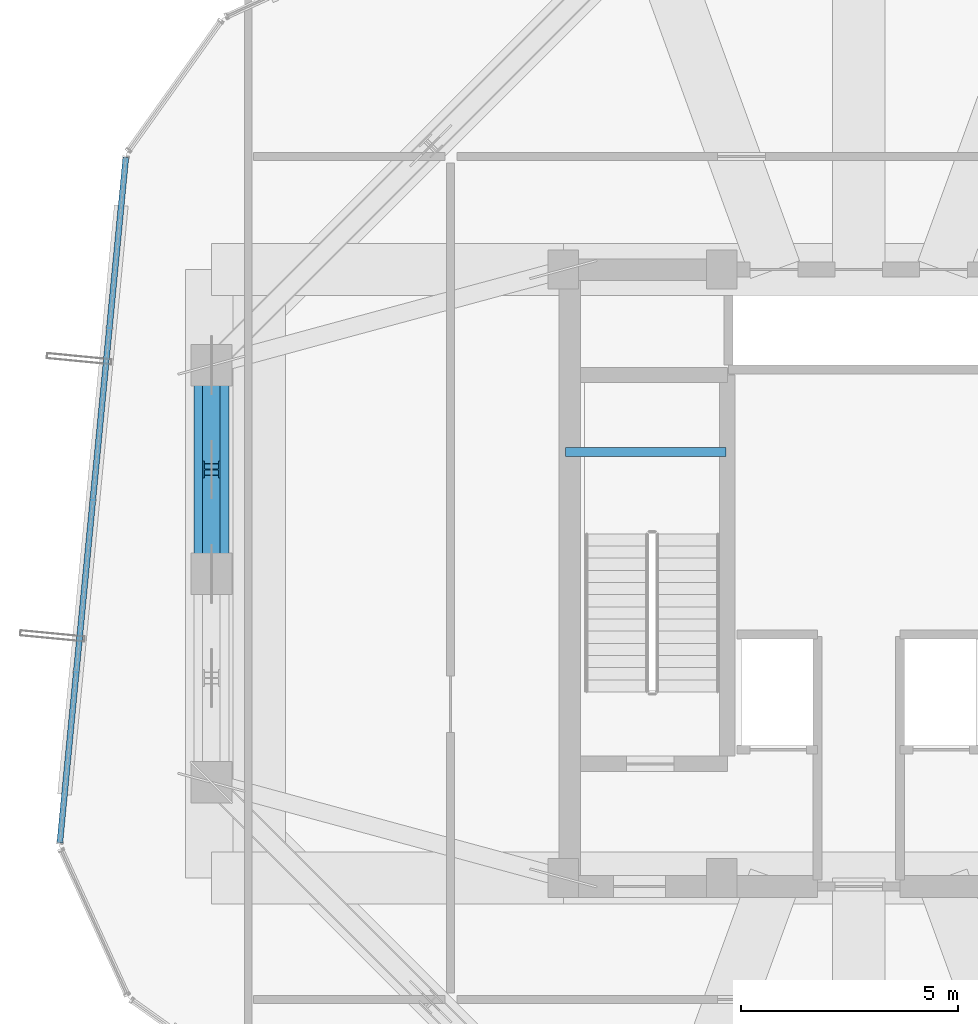
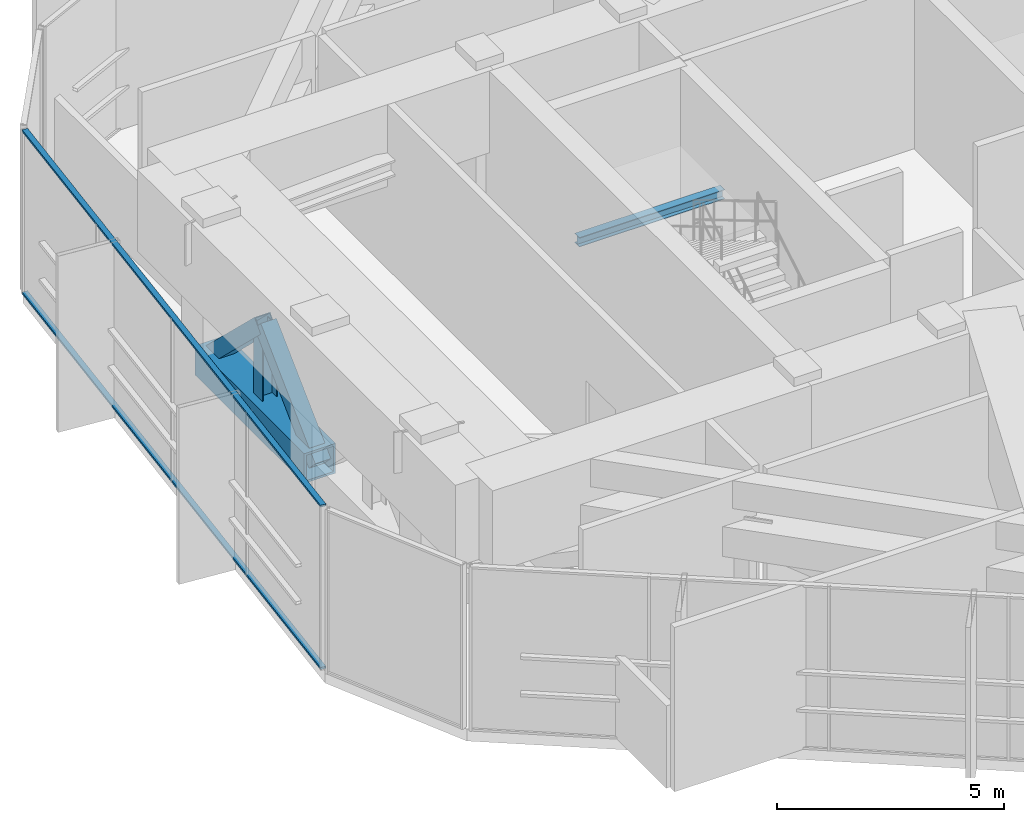
# One storey, part 13 of 31: 6 members, 1 beam, 1 element without a shape of its own.
"""IFC4 building model written with IfcOpenShell, lengths in metres."""

from ifc_helpers import new_model, si_unit, direction, frame, origin, origin_2d, place, context, subcontext, project, spatial, hollow_rectangle, i_section, extrude, source, transform, mapped, material, layer, layer_set, material_profile, profile_set, type_object, element, aggregate, save


model = new_model("IFC4")

# Units and contexts
model_context = context("Model", 3, precision=1e-05, world=origin(), true_north=direction((0.0, 1.0)))
body_context = subcontext(model_context, "Body", "Model", "MODEL_VIEW")
ifc_project = project(units=[si_unit("LENGTHUNIT", "METRE"), si_unit("AREAUNIT", "SQUARE_METRE"), si_unit("VOLUMEUNIT", "CUBIC_METRE"), si_unit("PLANEANGLEUNIT", "RADIAN"), si_unit("MASSUNIT", "GRAM", prefix="KILO")], contexts=[model_context])

# Site, building, storey
site_placement = place(None, origin())
site = spatial("IfcSite", under=ifc_project, at=site_placement, CompositionType="ELEMENT")
building_placement = place(site_placement, origin())
building = spatial("IfcBuilding", under=site, at=building_placement, Name="Veraguas Prism Commons", CompositionType="ELEMENT")
storey_placement = place(building_placement, frame((0.0, 0.0, 225.39990234375)))
storey = spatial("IfcBuildingStorey", under=building, at=storey_placement, Name="L64", CompositionType="ELEMENT", Elevation=225.39990234375)

# Members
ifc_material_1 = material(Name="Steel ASTM A913 Grade 65", Category="steel")
ifc_material_profile_1 = material_profile(ifc_material_1, hollow_rectangle(XDim=0.800048828125, YDim=0.800048828125, WallThickness=0.06005859375, at=origin_2d()), Name="BOX800X800X60")
ifc_profile_set_1 = profile_set([ifc_material_profile_1], Name="Steel ASTM A913 Grade 65")
member_type_1 = type_object("IfcMemberType", Name="Belt Truss Chord L64 Box 800x800x60", PredefinedType="CHORD", material=ifc_profile_set_1)
member_1_placement = place(storey_placement, frame((9.10009765625, 28.800048828125, 0.550048828125), z_axis=(0.0, -1.0, 0.0), x_axis=(1.0, 0.0, 0.0)))
element("IfcMember", 1, at=member_1_placement, inside=storey, type_object=member_type_1, Name="Perimeter Belt Truss Chord Bottom L64-07", PredefinedType="CHORD", context=body_context, shape_type="SweptSolid", body=[
    extrude(hollow_rectangle(XDim=0.800048828125, YDim=0.800048828125, WallThickness=0.06005859375, at=origin_2d()), origin(), (0.0, 0.0, 1.0), 4.800048828125),
])
ifc_material_2 = material(Name="Steel ASTM A992 Grade 50", Category="steel")
ifc_material_profile_2 = material_profile(ifc_material_2, i_section(OverallWidth=0.39794921875, OverallDepth=0.386962890625, WebThickness=0.01904296875, FlangeThickness=0.0302734375, at=origin_2d()), Name="W360X262")
ifc_profile_set_2 = profile_set([ifc_material_profile_2], Name="Steel ASTM A992 Grade 50")
member_type_2 = type_object("IfcMemberType", Name="Belt Truss Vertical Strut W360x262", PredefinedType="STRUT", material=ifc_profile_set_2)
member_2_placement = place(storey_placement, frame((9.10009765625, 26.39990234375, 0.550048828125), z_axis=(0.0, 0.0, 1.0), x_axis=(0.0, -1.0, 0.0)))
element("IfcMember", 2, at=member_2_placement, inside=storey, type_object=member_type_2, Name="Perimeter Belt Truss Strut L64-07", PredefinedType="STRUT", context=body_context, shape_type="SweptSolid", body=[
    extrude(i_section(OverallWidth=0.39794921875, OverallDepth=0.386962890625, WebThickness=0.01904296875, FlangeThickness=0.0302734375, at=origin_2d()), origin(), (0.0, 0.0, 1.0), 2.31494140625),
])

# Beam
ifc_material_profile_3 = material_profile(ifc_material_2, i_section(OverallWidth=0.202880859375, OverallDepth=0.251953125, WebThickness=0.008056640625, FlangeThickness=0.013427734375, at=origin_2d()), Name="W250X58")
ifc_profile_set_3 = profile_set([ifc_material_profile_3], Name="Steel ASTM A992 Grade 50")
beam_type = type_object("IfcBeamType", Name="Structural Opening Lintel W250x58", PredefinedType="LINTEL", material=ifc_profile_set_3)
beam_placement = place(storey_placement, frame((17.25, 26.800048828125, 1.9990234375), z_axis=(1.0, 0.0, 0.0), x_axis=(0.0, 1.0, 0.0)))
element("IfcBeam", 3, at=beam_placement, inside=storey, type_object=beam_type, Name="Stair ST-01 Half-Landing Support Beam L64-1", PredefinedType="LINTEL", context=body_context, shape_type="SweptSolid", body=[
    extrude(i_section(OverallWidth=0.202880859375, OverallDepth=0.251953125, WebThickness=0.008056640625, FlangeThickness=0.013427734375, at=origin_2d()), origin(), (0.0, 0.0, 1.0), 3.699951171875),
])

# Members
ifc_material_3 = material(Name="Steel ASTM A500 Grade C", Category="steel")
ifc_material_profile_4 = material_profile(ifc_material_3, hollow_rectangle(XDim=0.39990234375, YDim=0.39990234375, WallThickness=0.02001953125, at=origin_2d()), Name="HSS400X400X20")
ifc_profile_set_4 = profile_set([ifc_material_profile_4], Name="Steel ASTM A500 Grade C")
member_type_3 = type_object("IfcMemberType", Name="Wind Portal V-Brace HSS 400x400x20", PredefinedType="BRACE", material=ifc_profile_set_4)
member_3_placement = place(storey_placement, frame((9.10009765625, 28.800048828125, 0.550048828125), z_axis=(0.0, -0.719767205746, 0.694215506549), x_axis=(1.0, 0.0, 0.0)))
element("IfcMember", 4, at=member_3_placement, inside=storey, type_object=member_type_3, Name="Perimeter Belt Truss Brace L64-07A", PredefinedType="BRACE", context=body_context, shape_type="SweptSolid", body=[
    extrude(hollow_rectangle(XDim=0.39990234375, YDim=0.39990234375, WallThickness=0.02001953125, at=origin_2d()), origin(), (0.0, 0.0, 1.0), 3.334716796875),
])
member_4_placement = place(storey_placement, frame((9.10009765625, 24.0, 0.550048828125), z_axis=(0.0, 0.719731918537, 0.694252090699), x_axis=(-1.0, 0.0, 0.0)))
element("IfcMember", 5, at=member_4_placement, inside=storey, type_object=member_type_3, Name="Perimeter Belt Truss Brace L64-07B", PredefinedType="BRACE", context=body_context, shape_type="SweptSolid", body=[
    extrude(hollow_rectangle(XDim=0.39990234375, YDim=0.39990234375, WallThickness=0.02001953125, at=origin_2d()), origin(), (0.0, 0.0, 1.0), 3.33447265625),
])

# Curtain wall, members
ifc_material_4 = material(Name="Anodised aluminium EN AW-6063 T6", Category="aluminium")
ifc_layer = layer(ifc_material_4, 0.14990234375, Name="Unitised Flush Curtain Wall Zone 3", Category="aluminium")
ifc_layer_set = layer_set([ifc_layer], Name="Anodised aluminium EN AW-6063 T6")
curtain_wall_type = type_object("IfcCurtainWallType", Name="Unitised Flush Curtain Wall Zone 3", PredefinedType="NOTDEFINED", material=ifc_layer_set)
curtain_wall_placement = place(storey_placement, origin())
curtain_wall = element("IfcCurtainWall", 6, at=curtain_wall_placement, inside=storey, type_object=curtain_wall_type, Name="Tower Facade Curtain Wall L64-F3", PredefinedType="NOTDEFINED")
ifc_material_profile_5 = material_profile(ifc_material_4, hollow_rectangle(XDim=0.054931640625, YDim=0.135009765625, WallThickness=0.0029296875, at=origin_2d()), Name="AL55X135X3")
ifc_profile_set_5 = profile_set([ifc_material_profile_5], Name="Anodised aluminium EN AW-6063 T6")
member_type_4 = type_object("IfcMemberType", Name="Curtain Wall Transom Standard AL 55x135x3", PredefinedType="USERDEFINED", material=ifc_profile_set_5)
shared_shape = source(origin(), body_context, "Body", "SweptSolid", [
    extrude(hollow_rectangle(XDim=0.054931640625, YDim=0.135009765625, WallThickness=0.0029296875, at=origin_2d()), origin(), (0.0, 0.0, 1.0), 15.842529296875),
])
member_5_placement = place(storey_placement, frame((7.130615234375, 33.582275390625, 0.027587890625), z_axis=(-0.095853353378, -0.995395466459, 0.0), x_axis=(0.0, 0.0, 1.0)))
member_5 = element("IfcMember", 7, at=member_5_placement, type_object=member_type_4, Name="CW-Z3 Transom 1", ObjectType="TRANSOM", PredefinedType="USERDEFINED", context=body_context, shape_type="MappedRepresentation", body=[
    mapped(shared_shape, transform((0.0, 0.0, 0.0), scale=1.0)),
])
member_6_placement = place(storey_placement, frame((7.130615234375, 33.582275390625, 4.3876953125), z_axis=(-0.095853353378, -0.995395466459, 0.0), x_axis=(0.0, 0.0, 1.0)))
member_6 = element("IfcMember", 8, at=member_6_placement, type_object=member_type_4, Name="CW-Z3 Transom 2", ObjectType="TRANSOM", PredefinedType="USERDEFINED", context=body_context, shape_type="MappedRepresentation", body=[
    mapped(shared_shape, transform((0.0, 0.0, 0.0), scale=1.0)),
])
aggregate(curtain_wall, [member_5, member_6])

save(model, "model.ifc")
